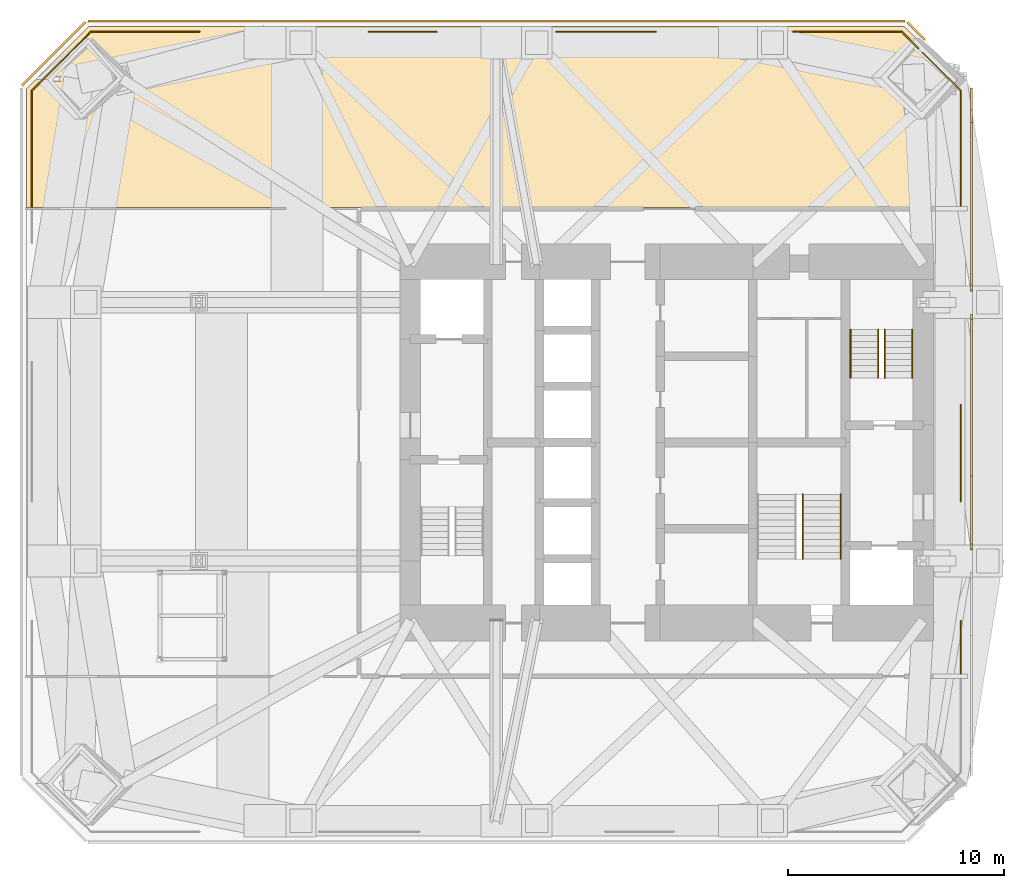
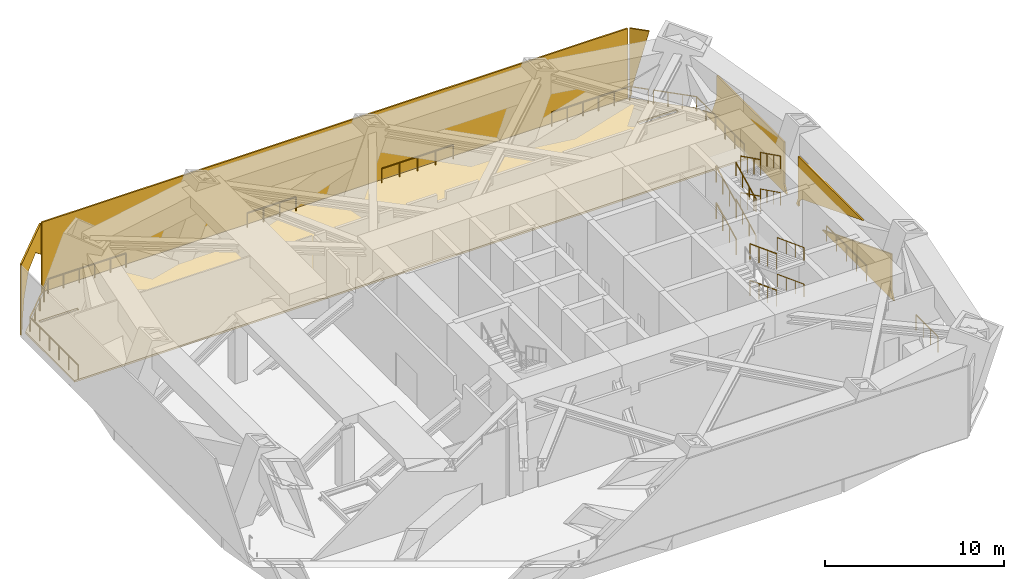
# One storey, part 8 of 8: 24 railings, 6 shading devices, 1 covering.
"""IFC4 building model written with IfcOpenShell, lengths in metres."""

from ifc_helpers import new_model, si_unit, direction, frame, origin, origin_2d, place, context, subcontext, project, spatial, polyline, rectangle, circle, outline, extrude, material, layer, layer_set, constituent, constituent_set, type_object, element, save


model = new_model("IFC4")

# Units and contexts
model_context = context("Model", 3, precision=1e-05, world=origin(), true_north=direction((0.0, 1.0)))
body_context = subcontext(model_context, "Body", "Model", "MODEL_VIEW")
ifc_project = project(units=[si_unit("LENGTHUNIT", "METRE"), si_unit("AREAUNIT", "SQUARE_METRE"), si_unit("VOLUMEUNIT", "CUBIC_METRE"), si_unit("PLANEANGLEUNIT", "RADIAN"), si_unit("MASSUNIT", "GRAM", prefix="KILO")], contexts=[model_context])

# Site, building, storey
site_placement = place(None, origin())
site = spatial("IfcSite", under=ifc_project, at=site_placement, CompositionType="ELEMENT")
building_placement = place(site_placement, origin())
building = spatial("IfcBuilding", under=site, at=building_placement, Name="Jalousie Tower", CompositionType="ELEMENT")
storey_placement = place(building_placement, frame((0.0, 0.0, 74.75)))
storey = spatial("IfcBuildingStorey", under=building, at=storey_placement, Name="L20", CompositionType="ELEMENT", Elevation=74.75)

# Covering
ifc_material_1 = material(Name="Sand-cement screed on resilient layer", Category="concrete")
ifc_layer_1 = layer(ifc_material_1, 0.1201171875)
ifc_layer_set_1 = layer_set([ifc_layer_1], Name="Sand-cement screed on resilient layer")
covering_type = type_object("IfcCoveringType", Name="FLOATING PLANT SCREED 120", PredefinedType="FLOORING", material=ifc_layer_set_1)
covering_placement = place(storey_placement, origin())
element("IfcCovering", 1, at=covering_placement, inside=storey, type_object=covering_type, Name="Floating screed Mechanical plant room", PredefinedType="FLOORING", context=body_context, shape_type="SweptSolid", body=[
    extrude(outline(polyline([(2.199951171875, 34.917236328125), (5.082763671875, 37.800048828125), (42.917236328125, 37.800048828125), (45.800048828125, 34.917236328125), (45.800048828125, 29.39990234375), (2.199951171875, 29.39990234375), (2.199951171875, 34.917236328125)]), holes=[polyline([(42.11865234375, 35.24365234375), (44.61865234375, 35.24365234375), (44.61865234375, 35.49365234375), (42.11865234375, 35.49365234375), (42.11865234375, 35.24365234375)]), polyline([(3.38134765625, 35.281005859375), (5.88134765625, 35.281005859375), (5.88134765625, 35.4560546875), (3.38134765625, 35.4560546875), (3.38134765625, 35.281005859375)])]), origin(), (0.0, 0.0, 1.0), 0.1201171875),
])

# Railings
ifc_material_2 = material(Name="Stainless steel AISI 316", Category="steel")
railing_type_1 = type_object("IfcRailingType", Name="PLANT GUARDRAIL 1100", PredefinedType="GUARDRAIL", material=ifc_material_2)
railing_1_placement = place(storey_placement, frame((2.449951171875, 29.419921875, 0.0)))
element("IfcRailing", 2, at=railing_1_placement, inside=storey, type_object=railing_type_1, Name="Plant floor guard L20 7", PredefinedType="GUARDRAIL", context=body_context, shape_type="SweptSolid", body=[
    extrude(rectangle(XDim=0.048095703125, YDim=0.048095703125, at=origin_2d()), frame((0.0, 0.0, 1.076171875), z_axis=(0.0, 1.0, 0.0), x_axis=(-1.0, 0.0, 0.0)), (0.0, 0.0, 1.0), 5.393798828125),
    extrude(circle(Radius=0.02099609375, at=origin_2d()), origin(), (0.0, 0.0, 1.0), 1.052001953125),
    extrude(circle(Radius=0.02099609375, at=origin_2d()), frame((0.0, 1.078857421875, 0.0)), (0.0, 0.0, 1.0), 1.052001953125),
    extrude(circle(Radius=0.02099609375, at=origin_2d()), frame((0.0, 2.157470703125, 0.0)), (0.0, 0.0, 1.0), 1.052001953125),
    extrude(circle(Radius=0.02099609375, at=origin_2d()), frame((0.0, 3.236328125, 0.0)), (0.0, 0.0, 1.0), 1.052001953125),
    extrude(circle(Radius=0.02099609375, at=origin_2d()), frame((0.0, 4.31494140625, 0.0)), (0.0, 0.0, 1.0), 1.052001953125),
    extrude(circle(Radius=0.02099609375, at=origin_2d()), frame((0.0, 5.393798828125, 0.0)), (0.0, 0.0, 1.0), 1.052001953125),
])
railing_2_placement = place(storey_placement, frame((2.449951171875, 34.813720703125, 0.0)))
element("IfcRailing", 3, at=railing_2_placement, inside=storey, type_object=railing_type_1, Name="Plant floor guard L20 8", PredefinedType="GUARDRAIL", context=body_context, shape_type="SweptSolid", body=[
    extrude(rectangle(XDim=0.048095703125, YDim=0.048095703125, at=origin_2d()), frame((0.0, 0.0, 1.076171875), z_axis=(0.707106781187, 0.707106781187, 0.0), x_axis=(-0.707106781187, 0.707106781187, 0.0)), (0.0, 0.0, 1.0), 2.097412109375),
    extrude(circle(Radius=0.02099609375, at=origin_2d()), origin(), (0.0, 0.0, 1.0), 1.052001953125),
    extrude(circle(Radius=0.02099609375, at=origin_2d()), frame((0.74169921875, 0.74169921875, 0.0)), (0.0, 0.0, 1.0), 1.052001953125),
    extrude(circle(Radius=0.02099609375, at=origin_2d()), frame((1.483154296875, 1.483154296875, 0.0)), (0.0, 0.0, 1.0), 1.052001953125),
])
railing_3_placement = place(storey_placement, frame((3.973388671875, 36.3369140625, 0.0)))
element("IfcRailing", 4, at=railing_3_placement, inside=storey, type_object=railing_type_1, Name="Plant floor guard L20 9", PredefinedType="GUARDRAIL", context=body_context, shape_type="SweptSolid", body=[
    extrude(rectangle(XDim=0.048095703125, YDim=0.048095703125, at=origin_2d()), frame((0.0, 0.0, 1.076171875), z_axis=(0.707035618627, 0.707177936585, 0.0), x_axis=(-0.707177936585, 0.707035618627, 0.0)), (0.0, 0.0, 1.0), 1.715576171875),
    extrude(circle(Radius=0.02099609375, at=origin_2d()), origin(), (0.0, 0.0, 1.0), 1.052001953125),
    extrude(circle(Radius=0.02099609375, at=origin_2d()), frame((0.6064453125, 0.6064453125, 0.0)), (0.0, 0.0, 1.0), 1.052001953125),
    extrude(circle(Radius=0.02099609375, at=origin_2d()), frame((1.212890625, 1.213134765625, 0.0)), (0.0, 0.0, 1.0), 1.052001953125),
])
railing_4_placement = place(storey_placement, frame((5.186279296875, 37.550048828125, 0.0)))
element("IfcRailing", 5, at=railing_4_placement, inside=storey, type_object=railing_type_1, Name="Plant floor guard L20 10", PredefinedType="GUARDRAIL", context=body_context, shape_type="SweptSolid", body=[
    extrude(rectangle(XDim=0.048095703125, YDim=0.048095703125, at=origin_2d()), frame((0.0, 0.0, 1.076171875), z_axis=(1.0, 0.0, 0.0), x_axis=(0.0, 1.0, 0.0)), (0.0, 0.0, 1.0), 5.043701171875),
    extrude(circle(Radius=0.02099609375, at=origin_2d()), origin(), (0.0, 0.0, 1.0), 1.052001953125),
    extrude(circle(Radius=0.02099609375, at=origin_2d()), frame((1.0087890625, 0.0, 0.0)), (0.0, 0.0, 1.0), 1.052001953125),
    extrude(circle(Radius=0.02099609375, at=origin_2d()), frame((2.017578125, 0.0, 0.0)), (0.0, 0.0, 1.0), 1.052001953125),
    extrude(circle(Radius=0.02099609375, at=origin_2d()), frame((3.026123046875, 0.0, 0.0)), (0.0, 0.0, 1.0), 1.052001953125),
    extrude(circle(Radius=0.02099609375, at=origin_2d()), frame((4.034912109375, 0.0, 0.0)), (0.0, 0.0, 1.0), 1.052001953125),
    extrude(circle(Radius=0.02099609375, at=origin_2d()), frame((5.043701171875, 0.0, 0.0)), (0.0, 0.0, 1.0), 1.052001953125),
])
railing_5_placement = place(storey_placement, frame((18.06640625, 37.550048828125, 0.0)))
element("IfcRailing", 6, at=railing_5_placement, inside=storey, type_object=railing_type_1, Name="Plant floor guard L20 11", PredefinedType="GUARDRAIL", context=body_context, shape_type="SweptSolid", body=[
    extrude(rectangle(XDim=0.048095703125, YDim=0.048095703125, at=origin_2d()), frame((0.0, 0.0, 1.076171875), z_axis=(1.0, 0.0, 0.0), x_axis=(0.0, 1.0, 0.0)), (0.0, 0.0, 1.0), 3.16357421875),
    extrude(circle(Radius=0.02099609375, at=origin_2d()), origin(), (0.0, 0.0, 1.0), 1.052001953125),
    extrude(circle(Radius=0.02099609375, at=origin_2d()), frame((1.054443359375, 0.0, 0.0)), (0.0, 0.0, 1.0), 1.052001953125),
    extrude(circle(Radius=0.02099609375, at=origin_2d()), frame((2.109130859375, 0.0, 0.0)), (0.0, 0.0, 1.0), 1.052001953125),
    extrude(circle(Radius=0.02099609375, at=origin_2d()), frame((3.16357421875, 0.0, 0.0)), (0.0, 0.0, 1.0), 1.052001953125),
])
railing_6_placement = place(storey_placement, frame((26.77001953125, 37.550048828125, 0.0)))
element("IfcRailing", 7, at=railing_6_placement, inside=storey, type_object=railing_type_1, Name="Plant floor guard L20 12", PredefinedType="GUARDRAIL", context=body_context, shape_type="SweptSolid", body=[
    extrude(rectangle(XDim=0.048095703125, YDim=0.048095703125, at=origin_2d()), frame((0.0, 0.0, 1.076171875), z_axis=(1.0, 0.0, 0.0), x_axis=(0.0, 1.0, 0.0)), (0.0, 0.0, 1.0), 4.633544921875),
    extrude(circle(Radius=0.02099609375, at=origin_2d()), origin(), (0.0, 0.0, 1.0), 1.052001953125),
    extrude(circle(Radius=0.02099609375, at=origin_2d()), frame((1.158447265625, 0.0, 0.0)), (0.0, 0.0, 1.0), 1.052001953125),
    extrude(circle(Radius=0.02099609375, at=origin_2d()), frame((2.31689453125, 0.0, 0.0)), (0.0, 0.0, 1.0), 1.052001953125),
    extrude(circle(Radius=0.02099609375, at=origin_2d()), frame((3.47509765625, 0.0, 0.0)), (0.0, 0.0, 1.0), 1.052001953125),
    extrude(circle(Radius=0.02099609375, at=origin_2d()), frame((4.633544921875, 0.0, 0.0)), (0.0, 0.0, 1.0), 1.052001953125),
])
railing_7_placement = place(storey_placement, frame((37.77001953125, 37.550048828125, 0.0)))
element("IfcRailing", 8, at=railing_7_placement, inside=storey, type_object=railing_type_1, Name="Plant floor guard L20 13", PredefinedType="GUARDRAIL", context=body_context, shape_type="SweptSolid", body=[
    extrude(rectangle(XDim=0.048095703125, YDim=0.048095703125, at=origin_2d()), frame((0.0, 0.0, 1.076171875), z_axis=(1.0, 0.0, 0.0), x_axis=(0.0, 1.0, 0.0)), (0.0, 0.0, 1.0), 5.043701171875),
    extrude(circle(Radius=0.02099609375, at=origin_2d()), origin(), (0.0, 0.0, 1.0), 1.052001953125),
    extrude(circle(Radius=0.02099609375, at=origin_2d()), frame((1.0087890625, 0.0, 0.0)), (0.0, 0.0, 1.0), 1.052001953125),
    extrude(circle(Radius=0.02099609375, at=origin_2d()), frame((2.017578125, 0.0, 0.0)), (0.0, 0.0, 1.0), 1.052001953125),
    extrude(circle(Radius=0.02099609375, at=origin_2d()), frame((3.026123046875, 0.0, 0.0)), (0.0, 0.0, 1.0), 1.052001953125),
    extrude(circle(Radius=0.02099609375, at=origin_2d()), frame((4.034912109375, 0.0, 0.0)), (0.0, 0.0, 1.0), 1.052001953125),
    extrude(circle(Radius=0.02099609375, at=origin_2d()), frame((5.043701171875, 0.0, 0.0)), (0.0, 0.0, 1.0), 1.052001953125),
])
railing_8_placement = place(storey_placement, frame((42.813720703125, 37.550048828125, 0.0)))
element("IfcRailing", 9, at=railing_8_placement, inside=storey, type_object=railing_type_1, Name="Plant floor guard L20 14", PredefinedType="GUARDRAIL", context=body_context, shape_type="SweptSolid", body=[
    extrude(rectangle(XDim=0.048095703125, YDim=0.048095703125, at=origin_2d()), frame((0.0, 0.0, 1.076171875), z_axis=(0.706993399199, -0.707220144997, 0.0), x_axis=(0.707220144997, 0.706993399199, 0.0)), (0.0, 0.0, 1.0), 1.07666015625),
    extrude(circle(Radius=0.02099609375, at=origin_2d()), origin(), (0.0, 0.0, 1.0), 1.052001953125),
    extrude(circle(Radius=0.02099609375, at=origin_2d()), frame((0.76123046875, -0.761474609375, 0.0)), (0.0, 0.0, 1.0), 1.052001953125),
])
railing_9_placement = place(storey_placement, frame((43.791015625, 36.572509765625, 0.0)))
element("IfcRailing", 10, at=railing_9_placement, inside=storey, type_object=railing_type_1, Name="Plant floor guard L20 15", PredefinedType="GUARDRAIL", context=body_context, shape_type="SweptSolid", body=[
    extrude(rectangle(XDim=0.048095703125, YDim=0.048095703125, at=origin_2d()), frame((0.0, 0.0, 1.076171875), z_axis=(0.70715585345, -0.707057705517, 0.0), x_axis=(0.707057705517, 0.70715585345, 0.0)), (0.0, 0.0, 1.0), 2.487548828125),
    extrude(circle(Radius=0.02099609375, at=origin_2d()), origin(), (0.0, 0.0, 1.0), 1.052001953125),
    extrude(circle(Radius=0.02099609375, at=origin_2d()), frame((0.58642578125, -0.586181640625, 0.0)), (0.0, 0.0, 1.0), 1.052001953125),
    extrude(circle(Radius=0.02099609375, at=origin_2d()), frame((1.172607421875, -1.172607421875, 0.0)), (0.0, 0.0, 1.0), 1.052001953125),
    extrude(circle(Radius=0.02099609375, at=origin_2d()), frame((1.759033203125, -1.7587890625, 0.0)), (0.0, 0.0, 1.0), 1.052001953125),
])
railing_10_placement = place(storey_placement, frame((45.550048828125, 10.22998046875, 0.0)))
element("IfcRailing", 11, at=railing_10_placement, inside=storey, type_object=railing_type_1, Name="Plant floor guard L20 17", PredefinedType="GUARDRAIL", context=body_context, shape_type="SweptSolid", body=[
    extrude(rectangle(XDim=0.048095703125, YDim=0.048095703125, at=origin_2d()), frame((0.0, 0.0, 1.076171875), z_axis=(0.0, -1.0, 0.0), x_axis=(1.0, 0.0, 0.0)), (0.0, 0.0, 1.0), 2.4599609375),
    extrude(circle(Radius=0.02099609375, at=origin_2d()), origin(), (0.0, 0.0, 1.0), 1.052001953125),
    extrude(circle(Radius=0.02099609375, at=origin_2d()), frame((0.0, -0.820068359375, 0.0)), (0.0, 0.0, 1.0), 1.052001953125),
    extrude(circle(Radius=0.02099609375, at=origin_2d()), frame((0.0, -1.639892578125, 0.0)), (0.0, 0.0, 1.0), 1.052001953125),
    extrude(circle(Radius=0.02099609375, at=origin_2d()), frame((0.0, -2.4599609375, 0.0)), (0.0, 0.0, 1.0), 1.052001953125),
])
railing_11_placement = place(storey_placement, frame((45.550048828125, 20.249267578125, 0.0)))
element("IfcRailing", 12, at=railing_11_placement, inside=storey, type_object=railing_type_1, Name="Plant floor guard L20 18", PredefinedType="GUARDRAIL", context=body_context, shape_type="SweptSolid", body=[
    extrude(rectangle(XDim=0.048095703125, YDim=0.048095703125, at=origin_2d()), frame((0.0, 0.0, 1.076171875), z_axis=(0.0, -1.0, 0.0), x_axis=(1.0, 0.0, 0.0)), (0.0, 0.0, 1.0), 4.479248046875),
    extrude(circle(Radius=0.02099609375, at=origin_2d()), origin(), (0.0, 0.0, 1.0), 1.052001953125),
    extrude(circle(Radius=0.02099609375, at=origin_2d()), frame((0.0, -1.119873046875, 0.0)), (0.0, 0.0, 1.0), 1.052001953125),
    extrude(circle(Radius=0.02099609375, at=origin_2d()), frame((0.0, -2.23974609375, 0.0)), (0.0, 0.0, 1.0), 1.052001953125),
    extrude(circle(Radius=0.02099609375, at=origin_2d()), frame((0.0, -3.359375, 0.0)), (0.0, 0.0, 1.0), 1.052001953125),
    extrude(circle(Radius=0.02099609375, at=origin_2d()), frame((0.0, -4.479248046875, 0.0)), (0.0, 0.0, 1.0), 1.052001953125),
])
railing_12_placement = place(storey_placement, frame((45.550048828125, 34.813720703125, 0.0)))
element("IfcRailing", 13, at=railing_12_placement, inside=storey, type_object=railing_type_1, Name="Plant floor guard L20 19", PredefinedType="GUARDRAIL", context=body_context, shape_type="SweptSolid", body=[
    extrude(rectangle(XDim=0.048095703125, YDim=0.048095703125, at=origin_2d()), frame((0.0, 0.0, 1.076171875), z_axis=(0.0, -1.0, 0.0), x_axis=(1.0, 0.0, 0.0)), (0.0, 0.0, 1.0), 5.34375),
    extrude(circle(Radius=0.02099609375, at=origin_2d()), origin(), (0.0, 0.0, 1.0), 1.052001953125),
    extrude(circle(Radius=0.02099609375, at=origin_2d()), frame((0.0, -1.06884765625, 0.0)), (0.0, 0.0, 1.0), 1.052001953125),
    extrude(circle(Radius=0.02099609375, at=origin_2d()), frame((0.0, -2.137451171875, 0.0)), (0.0, 0.0, 1.0), 1.052001953125),
    extrude(circle(Radius=0.02099609375, at=origin_2d()), frame((0.0, -3.206298828125, 0.0)), (0.0, 0.0, 1.0), 1.052001953125),
    extrude(circle(Radius=0.02099609375, at=origin_2d()), frame((0.0, -4.27490234375, 0.0)), (0.0, 0.0, 1.0), 1.052001953125),
    extrude(circle(Radius=0.02099609375, at=origin_2d()), frame((0.0, -5.34375, 0.0)), (0.0, 0.0, 1.0), 1.052001953125),
])

# Shading devices
ifc_material_3 = material(Name="Aluminium storm louvres", Category="aluminium")
ifc_layer_2 = layer(ifc_material_3, 0.10009765625)
ifc_layer_set_2 = layer_set([ifc_layer_2], Name="Aluminium storm louvres")
shading_device_type = type_object("IfcShadingDeviceType", Name="PLANT LOUVRE SCREEN", PredefinedType="JALOUSIE", material=ifc_layer_set_2)
shading_device_1_placement = place(storey_placement, frame((46.10009765625, 13.512939453125, -0.14990234375), z_axis=(1.0, 0.0, 0.0), x_axis=(0.0, 1.0, 0.0)))
element("IfcShadingDevice", 14, at=shading_device_1_placement, inside=storey, type_object=shading_device_type, Name="Plant louvre screen L20 4", PredefinedType="JALOUSIE", context=body_context, shape_type="SweptSolid", body=[
    extrude(outline(polyline([(0.0, 0.0), (3.947265625, 0.0), (4.087158203125, 0.063720703125), (4.226806640625, 0.0), (5.747314453125, 0.0), (5.886962890625, 0.063720703125), (6.02685546875, 0.0), (8.039794921875, 0.0), (0.287109375, 3.04931640625), (0.287109375, 0.58740234375), (0.052734375, 0.021728515625), (0.0, 0.0)])), origin(), (0.0, 0.0, -1.0), 0.10009765625),
])
shading_device_2_placement = place(storey_placement, frame((46.10009765625, 24.193603515625, -0.14990234375), z_axis=(1.0, 0.0, 0.0), x_axis=(0.0, 0.985370526239, 0.170425719947)))
element("IfcShadingDevice", 15, at=shading_device_2_placement, inside=storey, type_object=shading_device_type, Name="Plant louvre screen L20 5", PredefinedType="JALOUSIE", context=body_context, shape_type="SweptSolid", body=[
    extrude(outline(polyline([(0.0, 0.0), (0.2363680971248223, -6.938893903907228e-18), (0.10636326071159516, 0.5777271526885841), (0.5890974410888123, 3.368808413778676), (-6.549065218716842, 4.603396295191604), (-0.2873180341485724, 0.7984401102156472), (0.05182067567635576, 0.3354310728688724), (0.0, 0.0)])), origin(), (0.0, 0.0, -1.0), 0.10009765625),
])
shading_device_3_placement = place(storey_placement, frame((46.10009765625, 34.949951171875, -0.14990234375), z_axis=(1.0, 0.0, 0.0), x_axis=(0.0, 0.0, 1.0)))
element("IfcShadingDevice", 16, at=shading_device_3_placement, inside=storey, type_object=shading_device_type, Name="Plant louvre screen L20 6", PredefinedType="JALOUSIE", context=body_context, shape_type="SweptSolid", body=[
    extrude(outline(polyline([(0.0, 0.0), (0.04345703125, 0.0), (0.464599609375, 1.016845703125), (1.89990234375, 1.611328125), (3.419921875, 1.611328125), (3.419921875, 9.14990234375), (0.58740234375, 9.14990234375), (0.021728515625, 9.38427734375), (0.0, 9.43701171875), (0.0, 5.52392578125), (0.063720703125, 5.384033203125), (0.0, 5.244384765625), (0.0, 0.441162109375), (0.063720703125, 0.30126953125), (0.0, 0.161376953125), (0.0, 0.0)])), origin(), (0.0, 0.0, -1.0), 0.10009765625),
])
shading_device_4_placement = place(storey_placement, frame((43.106201171875, 38.035400390625, 4.719970703125), z_axis=(0.707117803607, 0.707095758592, -1.897769e-06), x_axis=(0.707095758593, -0.707117803608, 3e-11)))
element("IfcShadingDevice", 17, at=shading_device_4_placement, inside=storey, type_object=shading_device_type, Name="Plant louvre screen L20 7", PredefinedType="JALOUSIE", context=body_context, shape_type="SweptSolid", body=[
    extrude(outline(polyline([(0.0, 0.0), (1.1483579853226167, 2.117582368135751e-22), (0.10081795889891476, 4.232177734367379), (0.13896996319949811, 4.484375000319544), (0.04143203781548567, 4.719970703116501), (0.04143203781105115, 4.869873046866232), (-1.4406431150611207e-10, 4.869873046866232), (0.0, 0.0)])), origin(), (0.0, 0.0, -1.0), 0.10009765625),
])
shading_device_5_placement = place(storey_placement, frame((42.949951171875, 38.10009765625, -0.14990234375), z_axis=(0.0, 1.0, 0.0), x_axis=(-1.0, 0.0, 0.0)))
element("IfcShadingDevice", 18, at=shading_device_5_placement, inside=storey, type_object=shading_device_type, Name="Plant louvre screen L20 8", PredefinedType="JALOUSIE", context=body_context, shape_type="SweptSolid", body=[
    extrude(outline(polyline([(0.0, 0.0), (0.161376953125, 0.0), (0.30126953125, 0.063720703125), (0.441162109375, 0.0), (5.348388671875, 0.0), (5.488037109375, 0.063720703125), (5.6279296875, 0.0), (10.53515625, 0.0), (10.675048828125, 0.063720703125), (10.814697265625, 0.0), (13.76025390625, 0.0), (13.89990234375, 0.063720703125), (14.039794921875, 0.0), (17.53515625, 0.0), (17.675048828125, 0.063720703125), (17.814697265625, 0.0), (21.31005859375, 0.0), (21.449951171875, 0.063720703125), (21.58984375, 0.0), (24.76025390625, 0.0), (24.89990234375, 0.063720703125), (25.039794921875, 0.0), (28.960205078125, 0.0), (29.199951171875, 0.063720703125), (29.33984375, 0.0), (37.458740234375, 0.0), (37.5986328125, 0.063720703125), (37.738525390625, 0.0), (37.89990234375, 0.0), (37.89990234375, 4.869873046875), (0.0, 4.869873046875), (0.0, 0.0)])), origin(), (0.0, 0.0, -1.0), 0.10009765625),
])
shading_device_6_placement = place(storey_placement, frame((4.893798828125, 38.035400390625, 4.719970703125), z_axis=(-0.707067934515, 0.707145625438, -2.0138063e-05), x_axis=(1.4238979e-05, -1.4240543e-05, -0.999999999797)))
element("IfcShadingDevice", 19, at=shading_device_6_placement, inside=storey, type_object=shading_device_type, Name="Plant louvre screen L20 9", PredefinedType="JALOUSIE", context=body_context, shape_type="SweptSolid", body=[
    extrude(outline(polyline([(0.0, 0.0), (2.130859374567924, 3.609816193181413e-21), (1.2666015634540115, 1.094496334462381), (1.4482421901241993, 2.637494479166602), (2.6674804756685977, 3.6002714503290143), (4.167480475833882, 4.024604571797237), (4.453613288238429, 3.9907684075141727), (4.719970706704954, 4.101081217900367), (4.869873050424559, 4.101081217900367), (4.869873050470395, 4.142513255797996), (4.582863200279367e-09, 4.142513255797996), (0.0, 0.0)])), origin(), (0.0, 0.0, -1.0), 0.10009765625),
])

# Railings
ifc_material_4 = material(Name="Steel ASTM A500 Grade C", Category="steel")
ifc_constituent_1 = constituent(ifc_material_4, Name="Body")
ifc_material_5 = material(Name="Hot-dip galvanised zinc coating")
ifc_constituent_2 = constituent(ifc_material_5, Name="Finish")
ifc_constituent_set_1 = constituent_set(constituents=[ifc_constituent_1, ifc_constituent_2])
railing_type_2 = type_object("IfcRailingType", Name="STAIR GUARD 1100", PredefinedType="GUARDRAIL", material=ifc_constituent_set_1)
railing_13_placement = place(storey_placement, frame((40.43017578125, 21.50244140625, 0.138916015625)))
element("IfcRailing", 20, at=railing_13_placement, inside=storey, type_object=railing_type_2, Name="Exit stair B guard L20 flight 1", PredefinedType="GUARDRAIL", context=body_context, shape_type="SweptSolid", body=[
    extrude(rectangle(XDim=0.048095703125, YDim=0.048095703125, at=origin_2d()), frame((0.0, 0.0, 1.076171875), z_axis=(0.0, 0.895848192791, 0.444360231651), x_axis=(-1.0, 0.0, 0.0)), (0.0, 0.0, 1.0), 2.50048828125),
    extrude(circle(Radius=0.02099609375, at=origin_2d()), origin(), (0.0, 0.0, 1.0), 1.052001953125),
    extrude(circle(Radius=0.02099609375, at=origin_2d()), frame((0.0, 0.74658203125, 0.370361328125)), (0.0, 0.0, 1.0), 1.052001953125),
    extrude(circle(Radius=0.02099609375, at=origin_2d()), frame((0.0, 1.493408203125, 0.74072265625)), (0.0, 0.0, 1.0), 1.052001953125),
    extrude(circle(Radius=0.02099609375, at=origin_2d()), frame((0.0, 2.239990234375, 1.111083984375)), (0.0, 0.0, 1.0), 1.052001953125),
])
railing_14_placement = place(storey_placement, frame((42.017578125, 23.742431640625, 1.388916015625)))
element("IfcRailing", 21, at=railing_14_placement, inside=storey, type_object=railing_type_2, Name="Exit stair B guard L20 flight 2", PredefinedType="GUARDRAIL", context=body_context, shape_type="SweptSolid", body=[
    extrude(rectangle(XDim=0.048095703125, YDim=0.048095703125, at=origin_2d()), frame((0.0, 0.0, 1.076171875), z_axis=(0.0, -0.895848192791, 0.444360231651), x_axis=(1.0, 0.0, 0.0)), (0.0, 0.0, 1.0), 2.50048828125),
    extrude(circle(Radius=0.02099609375, at=origin_2d()), origin(), (0.0, 0.0, 1.0), 1.052001953125),
    extrude(circle(Radius=0.02099609375, at=origin_2d()), frame((0.0, -0.74658203125, 0.370361328125)), (0.0, 0.0, 1.0), 1.052001953125),
    extrude(circle(Radius=0.02099609375, at=origin_2d()), frame((0.0, -1.493408203125, 0.74072265625)), (0.0, 0.0, 1.0), 1.052001953125),
    extrude(circle(Radius=0.02099609375, at=origin_2d()), frame((0.0, -2.239990234375, 1.111083984375)), (0.0, 0.0, 1.0), 1.052001953125),
])
railing_15_placement = place(storey_placement, frame((40.43017578125, 21.50244140625, 2.638916015625)))
element("IfcRailing", 22, at=railing_15_placement, inside=storey, type_object=railing_type_2, Name="Exit stair B guard L20 flight 3", PredefinedType="GUARDRAIL", context=body_context, shape_type="SweptSolid", body=[
    extrude(rectangle(XDim=0.048095703125, YDim=0.048095703125, at=origin_2d()), frame((0.0, 0.0, 1.076171875), z_axis=(0.0, 0.895848192791, 0.444360231651), x_axis=(-1.0, 0.0, 0.0)), (0.0, 0.0, 1.0), 2.50048828125),
    extrude(circle(Radius=0.02099609375, at=origin_2d()), origin(), (0.0, 0.0, 1.0), 1.052001953125),
    extrude(circle(Radius=0.02099609375, at=origin_2d()), frame((0.0, 0.74658203125, 0.370361328125)), (0.0, 0.0, 1.0), 1.052001953125),
    extrude(circle(Radius=0.02099609375, at=origin_2d()), frame((0.0, 1.493408203125, 0.74072265625)), (0.0, 0.0, 1.0), 1.052001953125),
    extrude(circle(Radius=0.02099609375, at=origin_2d()), frame((0.0, 2.239990234375, 1.111083984375)), (0.0, 0.0, 1.0), 1.052001953125),
])
railing_16_placement = place(storey_placement, frame((42.017578125, 23.742431640625, 3.888916015625)))
element("IfcRailing", 23, at=railing_16_placement, inside=storey, type_object=railing_type_2, Name="Exit stair B guard L20 flight 4", PredefinedType="GUARDRAIL", context=body_context, shape_type="SweptSolid", body=[
    extrude(rectangle(XDim=0.048095703125, YDim=0.048095703125, at=origin_2d()), frame((0.0, 0.0, 1.076171875), z_axis=(0.0, -0.895848192791, 0.444360231651), x_axis=(1.0, 0.0, 0.0)), (0.0, 0.0, 1.0), 2.50048828125),
    extrude(circle(Radius=0.02099609375, at=origin_2d()), origin(), (0.0, 0.0, 1.0), 1.052001953125),
    extrude(circle(Radius=0.02099609375, at=origin_2d()), frame((0.0, -0.74658203125, 0.370361328125)), (0.0, 0.0, 1.0), 1.052001953125),
    extrude(circle(Radius=0.02099609375, at=origin_2d()), frame((0.0, -1.493408203125, 0.74072265625)), (0.0, 0.0, 1.0), 1.052001953125),
    extrude(circle(Radius=0.02099609375, at=origin_2d()), frame((0.0, -2.239990234375, 1.111083984375)), (0.0, 0.0, 1.0), 1.052001953125),
])
for number, where, name in (
    (24, (38.205078125, 16.097412109375, 1.363525390625), "Exit stair C guard L20 flight 2"),
    (25, (38.205078125, 16.097412109375, 3.863525390625), "Exit stair C guard L20 flight 4"),
):
    element("IfcRailing", number, at=place(storey_placement, frame(where)), inside=storey, type_object=railing_type_2, Name=name, PredefinedType="GUARDRAIL", context=body_context, shape_type="SweptSolid", body=[
        extrude(rectangle(XDim=0.048095703125, YDim=0.048095703125, at=origin_2d()), frame((0.0, 0.0, 1.076171875), z_axis=(0.0, -0.935147985876, 0.354257313985), x_axis=(1.0, 0.0, 0.0)), (0.0, 0.0, 1.0), 3.2080078125),
        extrude(circle(Radius=0.02099609375, at=origin_2d()), origin(), (0.0, 0.0, 1.0), 1.052001953125),
        extrude(circle(Radius=0.02099609375, at=origin_2d()), frame((0.0, -1.0, 0.37890625)), (0.0, 0.0, 1.0), 1.052001953125),
        extrude(circle(Radius=0.02099609375, at=origin_2d()), frame((0.0, -2.0, 0.757568359375)), (0.0, 0.0, 1.0), 1.052001953125),
        extrude(circle(Radius=0.02099609375, at=origin_2d()), frame((0.0, -3.0, 1.136474609375)), (0.0, 0.0, 1.0), 1.052001953125),
    ])
ifc_material_6 = material(Name="Steel ASTM A500 Grade C", Category="steel")
ifc_constituent_3 = constituent(ifc_material_6, Name="Body")
ifc_material_7 = material(Name="Hot-dip galvanised zinc coating")
ifc_constituent_4 = constituent(ifc_material_7, Name="Finish")
ifc_constituent_set_2 = constituent_set(constituents=[ifc_constituent_3, ifc_constituent_4])
railing_type_3 = type_object("IfcRailingType", Name="STAIR HANDRAIL 900", PredefinedType="HANDRAIL", material=ifc_constituent_set_2)
railing_17_placement = place(storey_placement, frame((41.70751953125, 21.50244140625, 0.138916015625)))
element("IfcRailing", 26, at=railing_17_placement, inside=storey, type_object=railing_type_3, Name="Exit stair B handrail L20 flight 1", PredefinedType="HANDRAIL", context=body_context, shape_type="SweptSolid", body=[
    extrude(circle(Radius=0.02392578125, at=origin_2d()), frame((0.0, 0.0, 0.8759765625), z_axis=(0.0, 0.895848192791, 0.444360231651), x_axis=(-1.0, 0.0, 0.0)), (0.0, 0.0, 1.0), 2.50048828125),
    extrude(circle(Radius=0.02099609375, at=origin_2d()), origin(), (0.0, 0.0, 1.0), 0.851806640625),
    extrude(circle(Radius=0.02099609375, at=origin_2d()), frame((0.0, 0.74658203125, 0.370361328125)), (0.0, 0.0, 1.0), 0.851806640625),
    extrude(circle(Radius=0.02099609375, at=origin_2d()), frame((0.0, 1.493408203125, 0.74072265625)), (0.0, 0.0, 1.0), 0.851806640625),
    extrude(circle(Radius=0.02099609375, at=origin_2d()), frame((0.0, 2.239990234375, 1.111083984375)), (0.0, 0.0, 1.0), 0.851806640625),
])
railing_18_placement = place(storey_placement, frame((43.294921875, 23.742431640625, 1.388916015625)))
element("IfcRailing", 27, at=railing_18_placement, inside=storey, type_object=railing_type_3, Name="Exit stair B handrail L20 flight 2", PredefinedType="HANDRAIL", context=body_context, shape_type="SweptSolid", body=[
    extrude(circle(Radius=0.02392578125, at=origin_2d()), frame((0.0, 0.0, 0.8759765625), z_axis=(0.0, -0.895848192791, 0.444360231651), x_axis=(1.0, 0.0, 0.0)), (0.0, 0.0, 1.0), 2.50048828125),
    extrude(circle(Radius=0.02099609375, at=origin_2d()), origin(), (0.0, 0.0, 1.0), 0.851806640625),
    extrude(circle(Radius=0.02099609375, at=origin_2d()), frame((0.0, -0.74658203125, 0.370361328125)), (0.0, 0.0, 1.0), 0.851806640625),
    extrude(circle(Radius=0.02099609375, at=origin_2d()), frame((0.0, -1.493408203125, 0.74072265625)), (0.0, 0.0, 1.0), 0.851806640625),
    extrude(circle(Radius=0.02099609375, at=origin_2d()), frame((0.0, -2.239990234375, 1.111083984375)), (0.0, 0.0, 1.0), 0.851806640625),
])
railing_19_placement = place(storey_placement, frame((41.70751953125, 21.50244140625, 2.638916015625)))
element("IfcRailing", 28, at=railing_19_placement, inside=storey, type_object=railing_type_3, Name="Exit stair B handrail L20 flight 3", PredefinedType="HANDRAIL", context=body_context, shape_type="SweptSolid", body=[
    extrude(circle(Radius=0.02392578125, at=origin_2d()), frame((0.0, 0.0, 0.8759765625), z_axis=(0.0, 0.895848192791, 0.444360231651), x_axis=(-1.0, 0.0, 0.0)), (0.0, 0.0, 1.0), 2.50048828125),
    extrude(circle(Radius=0.02099609375, at=origin_2d()), origin(), (0.0, 0.0, 1.0), 0.851806640625),
    extrude(circle(Radius=0.02099609375, at=origin_2d()), frame((0.0, 0.74658203125, 0.370361328125)), (0.0, 0.0, 1.0), 0.851806640625),
    extrude(circle(Radius=0.02099609375, at=origin_2d()), frame((0.0, 1.493408203125, 0.74072265625)), (0.0, 0.0, 1.0), 0.851806640625),
    extrude(circle(Radius=0.02099609375, at=origin_2d()), frame((0.0, 2.239990234375, 1.111083984375)), (0.0, 0.0, 1.0), 0.851806640625),
])
railing_20_placement = place(storey_placement, frame((43.294921875, 23.742431640625, 3.888916015625)))
element("IfcRailing", 29, at=railing_20_placement, inside=storey, type_object=railing_type_3, Name="Exit stair B handrail L20 flight 4", PredefinedType="HANDRAIL", context=body_context, shape_type="SweptSolid", body=[
    extrude(circle(Radius=0.02392578125, at=origin_2d()), frame((0.0, 0.0, 0.8759765625), z_axis=(0.0, -0.895848192791, 0.444360231651), x_axis=(1.0, 0.0, 0.0)), (0.0, 0.0, 1.0), 2.50048828125),
    extrude(circle(Radius=0.02099609375, at=origin_2d()), origin(), (0.0, 0.0, 1.0), 0.851806640625),
    extrude(circle(Radius=0.02099609375, at=origin_2d()), frame((0.0, -0.74658203125, 0.370361328125)), (0.0, 0.0, 1.0), 0.851806640625),
    extrude(circle(Radius=0.02099609375, at=origin_2d()), frame((0.0, -1.493408203125, 0.74072265625)), (0.0, 0.0, 1.0), 0.851806640625),
    extrude(circle(Radius=0.02099609375, at=origin_2d()), frame((0.0, -2.239990234375, 1.111083984375)), (0.0, 0.0, 1.0), 0.851806640625),
])
for number, where, name in (
    (30, (39.969970703125, 16.097412109375, 1.363525390625), "Exit stair C handrail L20 flight 2"),
    (31, (39.969970703125, 16.097412109375, 3.863525390625), "Exit stair C handrail L20 flight 4"),
):
    element("IfcRailing", number, at=place(storey_placement, frame(where)), inside=storey, type_object=railing_type_3, Name=name, PredefinedType="HANDRAIL", context=body_context, shape_type="SweptSolid", body=[
        extrude(circle(Radius=0.02392578125, at=origin_2d()), frame((0.0, 0.0, 0.8759765625), z_axis=(0.0, -0.935147985876, 0.354257313985), x_axis=(1.0, 0.0, 0.0)), (0.0, 0.0, 1.0), 3.2080078125),
        extrude(circle(Radius=0.02099609375, at=origin_2d()), origin(), (0.0, 0.0, 1.0), 0.851806640625),
        extrude(circle(Radius=0.02099609375, at=origin_2d()), frame((0.0, -1.0, 0.37890625)), (0.0, 0.0, 1.0), 0.851806640625),
        extrude(circle(Radius=0.02099609375, at=origin_2d()), frame((0.0, -2.0, 0.757568359375)), (0.0, 0.0, 1.0), 0.851806640625),
        extrude(circle(Radius=0.02099609375, at=origin_2d()), frame((0.0, -3.0, 1.136474609375)), (0.0, 0.0, 1.0), 0.851806640625),
    ])

save(model, "model.ifc")
